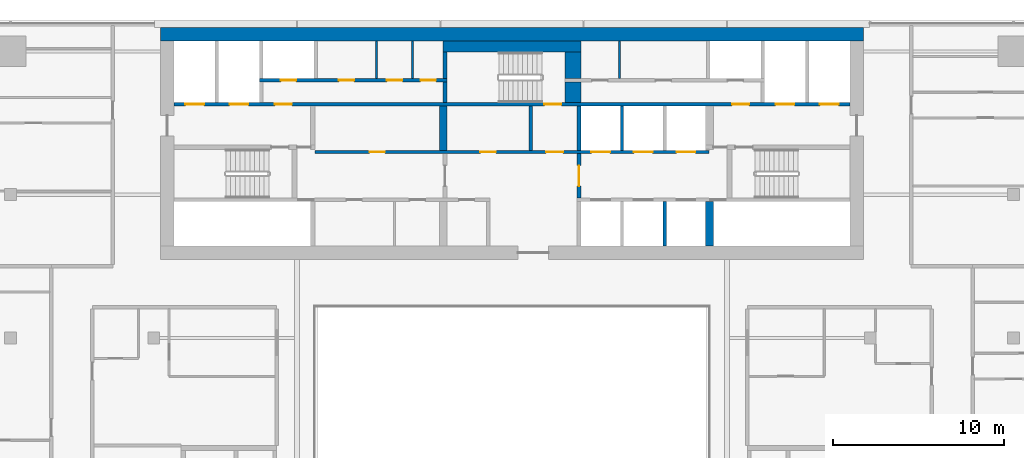
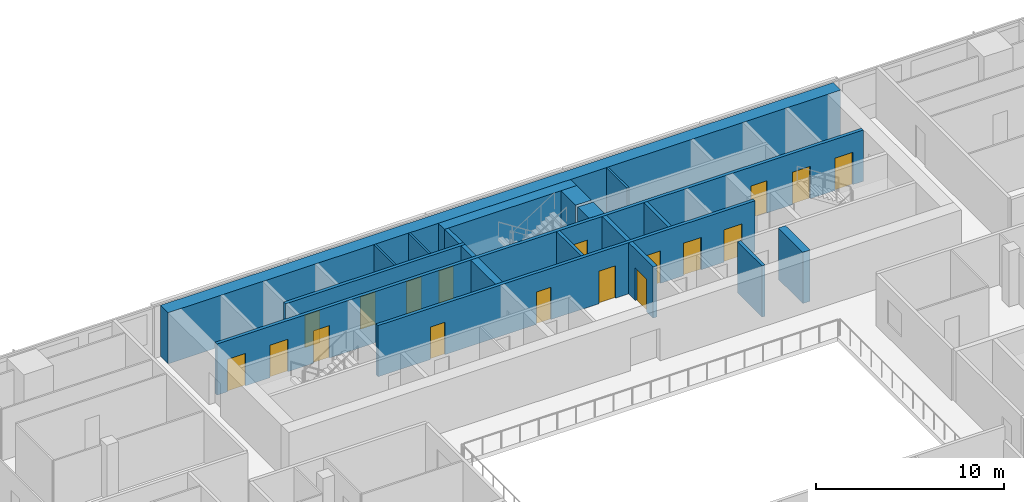
# One storey, part 22 of 29: 19 walls, 18 doors, 18 openings.
"""IFC4 building model written with IfcOpenShell, lengths in metres."""

from ifc_helpers import new_model, si_unit, direction, frame, frame_2d, origin, place, context, subcontext, project, spatial, rectangle, extrude, material, layer, layer_set, type_object, element, fill, save


model = new_model("IFC4")

# Units and contexts
model_context = context("Model", 3, precision=1e-05, world=origin(), true_north=direction((0.0, 1.0)))
body_context = subcontext(model_context, "Body", "Model", "MODEL_VIEW")
ifc_project = project(units=[si_unit("LENGTHUNIT", "METRE"), si_unit("AREAUNIT", "SQUARE_METRE"), si_unit("VOLUMEUNIT", "CUBIC_METRE"), si_unit("PLANEANGLEUNIT", "RADIAN"), si_unit("MASSUNIT", "GRAM", prefix="KILO")], contexts=[model_context])

# Site, building, storey
site_placement = place(None, origin())
site = spatial("IfcSite", under=ifc_project, at=site_placement, CompositionType="ELEMENT")
building_placement = place(site_placement, origin())
building = spatial("IfcBuilding", under=site, at=building_placement, Name="Saffron Gate Tower", CompositionType="ELEMENT")
storey_placement = place(building_placement, frame((0.0, 0.0, 161.85009765625)))
storey = spatial("IfcBuildingStorey", under=building, at=storey_placement, Name="L39", CompositionType="ELEMENT", Elevation=161.85009765625)

# Walls
ifc_material_1 = material(Name="Gypsum board partition on steel studs", Category="steel")
ifc_layer_1 = layer(ifc_material_1, 0.199951171875)
ifc_layer_set_1 = layer_set([ifc_layer_1], Name="CW10 Core partition 200")
wall_type_1 = type_object("IfcWallType", Name="CW10 Core partition 200", PredefinedType="PARTITIONING", material=ifc_layer_set_1)
wall_1_placement = place(storey_placement, frame((88.699951171875, 68.0, 0.0), z_axis=(0.0, 0.0, 1.0), x_axis=(0.0, 1.0, 0.0)))
element("IfcWall", 1, at=wall_1_placement, inside=storey, type_object=wall_type_1, Name="Wall CW10-L39-21", PredefinedType="PARTITIONING", context=body_context, shape_type="SweptSolid", body=[
    extrude(rectangle(XDim=2.60009765625, YDim=0.199951171875, at=frame_2d((1.300048828125, 0.0))), origin(), (0.0, 0.0, 1.0), 3.31982421875),
])
ifc_material_2 = material(Name="Concrete C60", Category="concrete")
ifc_layer_2 = layer(ifc_material_2, 0.800048828125)
ifc_layer_set_2 = layer_set([ifc_layer_2], Name="CW13 RC core wall 800 C60")
wall_type_2 = type_object("IfcWallType", Name="CW13 RC core wall 800 C60", PredefinedType="SOLIDWALL", material=ifc_layer_set_2)
wall_2_placement = place(storey_placement, frame((67.0, 74.800048828125, 0.0), z_axis=(0.0, 0.0, 1.0), x_axis=(1.0, 0.0, 0.0)))
element("IfcWall", 2, at=wall_2_placement, inside=storey, type_object=wall_type_2, Name="Wall CW13-L39-2", PredefinedType="SOLIDWALL", context=body_context, shape_type="SweptSolid", body=[
    extrude(rectangle(XDim=41.199951171875, YDim=0.800048828125, at=frame_2d((20.60009765625, 0.0))), origin(), (0.0, 0.0, 1.0), 3.31982421875),
])

# Wall, opening, door
ifc_layer_3 = layer(ifc_material_2, 0.25)
ifc_layer_set_3 = layer_set([ifc_layer_3], Name="CW14 RC core wall 250 C60")
wall_type_3 = type_object("IfcWallType", Name="CW14 RC core wall 250 C60", PredefinedType="SOLIDWALL", material=ifc_layer_set_3)
wall_3_placement = place(storey_placement, frame((91.52490234375, 65.199951171875, 0.0), z_axis=(0.0, 0.0, 1.0), x_axis=(0.0, 1.0, 0.0)))
wall_3 = element("IfcWall", 3, at=wall_3_placement, inside=storey, type_object=wall_type_3, Name="Wall CW14-L39-17", PredefinedType="SOLIDWALL", context=body_context, shape_type="SweptSolid", body=[
    extrude(rectangle(XDim=2.60009765625, YDim=0.25, at=frame_2d((1.300048828125, 0.0))), origin(), (0.0, 0.0, 1.0), 3.31982421875),
])
opening_1_placement = place(wall_3_placement, frame((0.699951171875, 0.0, 0.0)))
opening_1 = element("IfcOpeningElement", 4, at=opening_1_placement, cuts=wall_3, Name="Opening CR-01", PredefinedType="OPENING", context=body_context, shape_type="SweptSolid", body=[
    extrude(rectangle(XDim=1.199951171875, YDim=2.10009765625, at=frame_2d((0.60009765625, 1.050048828125))), frame((0.0, 0.135009765625, 0.0), z_axis=(0.0, -1.0, 0.0), x_axis=(1.0, 0.0, 0.0)), (0.0, 0.0, 1.0), 0.27001953125),
])
ifc_material_3 = material(Name="Steel fire door set", Category="steel")
door_type_1 = type_object("IfcDoorType", Name="CD3 Lobby door 1200x2100 EI 120", OperationType="NOTDEFINED", PredefinedType="DOOR", material=ifc_material_3)
door_1_placement = place(opening_1_placement, origin())
door_1 = element("IfcDoor", 5, at=door_1_placement, inside=storey, type_object=door_type_1, Name="DOOR CR-01", OperationType="SINGLE_SWING_RIGHT", OverallHeight=2.10009765625, OverallWidth=1.199951171875, PredefinedType="DOOR", context=body_context, shape_type="SweptSolid", body=[
    extrude(rectangle(XDim=1.199951171875, YDim=2.10009765625, at=frame_2d((0.60009765625, 1.050048828125))), frame((0.0, 0.02490234375, 0.0), z_axis=(0.0, -1.0, 0.0), x_axis=(1.0, 0.0, 0.0)), (0.0, 0.0, 1.0), 0.050048828125),
])
fill(opening_1, door_1)

# Walls
wall_4_placement = place(storey_placement, frame((91.52490234375, 68.0, 0.0), z_axis=(0.0, 0.0, 1.0), x_axis=(0.0, 1.0, 0.0)))
element("IfcWall", 6, at=wall_4_placement, inside=storey, type_object=wall_type_3, Name="Wall CW14-L39-22", PredefinedType="SOLIDWALL", context=body_context, shape_type="SweptSolid", body=[
    extrude(rectangle(XDim=2.60009765625, YDim=0.25, at=frame_2d((1.300048828125, 0.0))), origin(), (0.0, 0.0, 1.0), 3.31982421875),
])
wall_5_placement = place(storey_placement, frame((83.675048828125, 70.800048828125, 0.0), z_axis=(0.0, 0.0, 1.0), x_axis=(0.0, 1.0, 0.0)))
element("IfcWall", 7, at=wall_5_placement, inside=storey, type_object=wall_type_3, Name="Wall CW14-L39-33", PredefinedType="SOLIDWALL", context=body_context, shape_type="SweptSolid", body=[
    extrude(rectangle(XDim=1.199951171875, YDim=0.25, at=frame_2d((0.60009765625, 0.0))), origin(), (0.0, 0.0, 1.0), 3.31982421875),
])
wall_6_placement = place(storey_placement, frame((83.675048828125, 72.199951171875, 0.0), z_axis=(0.0, 0.0, 1.0), x_axis=(0.0, 1.0, 0.0)))
element("IfcWall", 8, at=wall_6_placement, inside=storey, type_object=wall_type_3, Name="Wall CW14-L39-43", PredefinedType="SOLIDWALL", context=body_context, shape_type="SweptSolid", body=[
    extrude(rectangle(XDim=1.550048828125, YDim=0.25, at=frame_2d((0.77490234375, 0.0))), origin(), (0.0, 0.0, 1.0), 3.31982421875),
])
ifc_layer_4 = layer(ifc_material_2, 0.199951171875)
ifc_layer_set_4 = layer_set([ifc_layer_4], Name="CW15 RC core wall 200 C60")
wall_type_4 = type_object("IfcWallType", Name="CW15 RC core wall 200 C60", PredefinedType="SOLIDWALL", material=ifc_layer_set_4)
wall_7_placement = place(storey_placement, frame((96.550048828125, 62.39990234375, 0.0), z_axis=(0.0, 0.0, 1.0), x_axis=(0.0, 1.0, 0.0)))
element("IfcWall", 9, at=wall_7_placement, inside=storey, type_object=wall_type_4, Name="Wall CW15-L39-11", PredefinedType="SOLIDWALL", context=body_context, shape_type="SweptSolid", body=[
    extrude(rectangle(XDim=2.60009765625, YDim=0.199951171875, at=frame_2d((1.300048828125, 0.0))), origin(), (0.0, 0.0, 1.0), 3.31982421875),
])

# Wall, openings, doors
wall_8_placement = place(storey_placement, frame((76.050048828125, 67.89990234375, 0.0), z_axis=(0.0, 0.0, 1.0), x_axis=(1.0, 0.0, 0.0)))
wall_8 = element("IfcWall", 10, at=wall_8_placement, inside=storey, type_object=wall_type_4, Name="Wall CW15-L39-19", PredefinedType="SOLIDWALL", context=body_context, shape_type="SweptSolid", body=[
    extrude(rectangle(XDim=23.099853515625, YDim=0.199951171875, at=frame_2d((11.5498046875, 0.0))), origin(), (0.0, 0.0, 1.0), 3.31982421875),
])
opening_2_placement = place(wall_8_placement, frame((3.199951171875, 0.0, 0.0)))
opening_2 = element("IfcOpeningElement", 11, at=opening_2_placement, cuts=wall_8, Name="Opening CR-61", PredefinedType="OPENING", context=body_context, shape_type="SweptSolid", body=[
    extrude(rectangle(XDim=0.89990234375, YDim=2.10009765625, at=frame_2d((0.449951171875, 1.050048828125))), frame((0.0, 0.10986328125, 0.0), z_axis=(0.0, -1.0, 0.0), x_axis=(1.0, 0.0, 0.0)), (0.0, 0.0, 1.0), 0.219970703125),
])
opening_3_placement = place(wall_8_placement, frame((9.699951171875, 0.0, 0.0)))
opening_3 = element("IfcOpeningElement", 12, at=opening_3_placement, cuts=wall_8, Name="Opening CR-67", PredefinedType="OPENING", context=body_context, shape_type="SweptSolid", body=[
    extrude(rectangle(XDim=0.89990234375, YDim=2.10009765625, at=frame_2d((0.449951171875, 1.050048828125))), frame((0.0, 0.10986328125, 0.0), z_axis=(0.0, -1.0, 0.0), x_axis=(1.0, 0.0, 0.0)), (0.0, 0.0, 1.0), 0.219970703125),
])
opening_4_placement = place(wall_8_placement, frame((13.550048828125, 0.0, 0.0)))
opening_4 = element("IfcOpeningElement", 13, at=opening_4_placement, cuts=wall_8, Name="Opening CR-02", PredefinedType="OPENING", context=body_context, shape_type="SweptSolid", body=[
    extrude(rectangle(XDim=1.0, YDim=2.10009765625, at=frame_2d((0.5, 1.050048828125))), frame((0.0, 0.10986328125, 0.0), z_axis=(0.0, -1.0, 0.0), x_axis=(1.0, 0.0, 0.0)), (0.0, 0.0, 1.0), 0.219970703125),
])
opening_5_placement = place(wall_8_placement, frame((16.199951171875, 0.0, 0.0)))
opening_5 = element("IfcOpeningElement", 14, at=opening_5_placement, cuts=wall_8, Name="Opening LD-HR4", PredefinedType="OPENING", context=body_context, shape_type="SweptSolid", body=[
    extrude(rectangle(XDim=1.10009765625, YDim=2.10009765625, at=frame_2d((0.550048828125, 1.050048828125))), frame((0.0, 0.10986328125, 0.0), z_axis=(0.0, -1.0, 0.0), x_axis=(1.0, 0.0, 0.0)), (0.0, 0.0, 1.0), 0.219970703125),
])
opening_6_placement = place(wall_8_placement, frame((18.699951171875, 0.0, 0.0)))
opening_6 = element("IfcOpeningElement", 15, at=opening_6_placement, cuts=wall_8, Name="Opening LD-HR5", PredefinedType="OPENING", context=body_context, shape_type="SweptSolid", body=[
    extrude(rectangle(XDim=1.10009765625, YDim=2.10009765625, at=frame_2d((0.550048828125, 1.050048828125))), frame((0.0, 0.10986328125, 0.0), z_axis=(0.0, -1.0, 0.0), x_axis=(1.0, 0.0, 0.0)), (0.0, 0.0, 1.0), 0.219970703125),
])
opening_7_placement = place(wall_8_placement, frame((21.199951171875, 0.0, 0.0)))
opening_7 = element("IfcOpeningElement", 16, at=opening_7_placement, cuts=wall_8, Name="Opening LD-HR6", PredefinedType="OPENING", context=body_context, shape_type="SweptSolid", body=[
    extrude(rectangle(XDim=1.10009765625, YDim=2.10009765625, at=frame_2d((0.550048828125, 1.050048828125))), frame((0.0, 0.10986328125, 0.0), z_axis=(0.0, -1.0, 0.0), x_axis=(1.0, 0.0, 0.0)), (0.0, 0.0, 1.0), 0.219970703125),
])
door_type_2 = type_object("IfcDoorType", Name="CD4 Lobby door 1000x2100 EI 120", OperationType="NOTDEFINED", PredefinedType="DOOR", material=ifc_material_3)
door_2_placement = place(opening_4_placement, origin())
door_2 = element("IfcDoor", 17, at=door_2_placement, inside=storey, type_object=door_type_2, Name="DOOR CR-02", OperationType="SINGLE_SWING_LEFT", OverallHeight=2.10009765625, OverallWidth=1.0, PredefinedType="DOOR", context=body_context, shape_type="SweptSolid", body=[
    extrude(rectangle(XDim=1.0, YDim=2.10009765625, at=frame_2d((0.5, 1.050048828125))), frame((0.0, 0.02490234375, 0.0), z_axis=(0.0, -1.0, 0.0), x_axis=(1.0, 0.0, 0.0)), (0.0, 0.0, 1.0), 0.050048828125),
])
fill(opening_4, door_2)
door_type_3 = type_object("IfcDoorType", Name="CD9 Room door 900x2100 EI 60", OperationType="NOTDEFINED", PredefinedType="DOOR", material=ifc_material_3)
door_3_placement = place(opening_2_placement, origin())
door_3 = element("IfcDoor", 18, at=door_3_placement, inside=storey, type_object=door_type_3, Name="DOOR CR-61", OperationType="SINGLE_SWING_LEFT", OverallHeight=2.10009765625, OverallWidth=0.89990234375, PredefinedType="DOOR", context=body_context, shape_type="SweptSolid", body=[
    extrude(rectangle(XDim=0.89990234375, YDim=2.10009765625, at=frame_2d((0.449951171875, 1.050048828125))), frame((0.0, 0.02490234375, 0.0), z_axis=(0.0, -1.0, 0.0), x_axis=(1.0, 0.0, 0.0)), (0.0, 0.0, 1.0), 0.050048828125),
])
fill(opening_2, door_3)
door_4_placement = place(opening_3_placement, origin())
door_4 = element("IfcDoor", 19, at=door_4_placement, inside=storey, type_object=door_type_3, Name="DOOR CR-67", OperationType="SINGLE_SWING_LEFT", OverallHeight=2.10009765625, OverallWidth=0.89990234375, PredefinedType="DOOR", context=body_context, shape_type="SweptSolid", body=[
    extrude(rectangle(XDim=0.89990234375, YDim=2.10009765625, at=frame_2d((0.449951171875, 1.050048828125))), frame((0.0, 0.02490234375, 0.0), z_axis=(0.0, -1.0, 0.0), x_axis=(1.0, 0.0, 0.0)), (0.0, 0.0, 1.0), 0.050048828125),
])
fill(opening_3, door_4)
ifc_material_4 = material(Name="Stainless steel landing door", Category="steel")
door_type_4 = type_object("IfcDoorType", Name="LD Lift landing door 1100x2100 EI 120", OperationType="SLIDING_TO_LEFT", PredefinedType="DOOR", material=ifc_material_4)
door_5_placement = place(opening_5_placement, origin())
door_5 = element("IfcDoor", 20, at=door_5_placement, inside=storey, type_object=door_type_4, Name="LANDING DOOR LD-HR4", OperationType="SLIDING_TO_RIGHT", OverallHeight=2.10009765625, OverallWidth=1.10009765625, PredefinedType="DOOR", context=body_context, shape_type="SweptSolid", body=[
    extrude(rectangle(XDim=1.10009765625, YDim=2.10009765625, at=frame_2d((0.550048828125, 1.050048828125))), frame((0.0, 0.02490234375, 0.0), z_axis=(0.0, -1.0, 0.0), x_axis=(1.0, 0.0, 0.0)), (0.0, 0.0, 1.0), 0.050048828125),
])
fill(opening_5, door_5)
door_6_placement = place(opening_6_placement, origin())
door_6 = element("IfcDoor", 21, at=door_6_placement, inside=storey, type_object=door_type_4, Name="LANDING DOOR LD-HR5", OperationType="SLIDING_TO_RIGHT", OverallHeight=2.10009765625, OverallWidth=1.10009765625, PredefinedType="DOOR", context=body_context, shape_type="SweptSolid", body=[
    extrude(rectangle(XDim=1.10009765625, YDim=2.10009765625, at=frame_2d((0.550048828125, 1.050048828125))), frame((0.0, 0.02490234375, 0.0), z_axis=(0.0, -1.0, 0.0), x_axis=(1.0, 0.0, 0.0)), (0.0, 0.0, 1.0), 0.050048828125),
])
fill(opening_6, door_6)
door_7_placement = place(opening_7_placement, origin())
door_7 = element("IfcDoor", 22, at=door_7_placement, inside=storey, type_object=door_type_4, Name="LANDING DOOR LD-HR6", OperationType="SLIDING_TO_RIGHT", OverallHeight=2.10009765625, OverallWidth=1.10009765625, PredefinedType="DOOR", context=body_context, shape_type="SweptSolid", body=[
    extrude(rectangle(XDim=1.10009765625, YDim=2.10009765625, at=frame_2d((0.550048828125, 1.050048828125))), frame((0.0, 0.02490234375, 0.0), z_axis=(0.0, -1.0, 0.0), x_axis=(1.0, 0.0, 0.0)), (0.0, 0.0, 1.0), 0.050048828125),
])
fill(opening_7, door_7)

# Wall
wall_9_placement = place(storey_placement, frame((94.050048828125, 68.0, 0.0), z_axis=(0.0, 0.0, 1.0), x_axis=(0.0, 1.0, 0.0)))
element("IfcWall", 23, at=wall_9_placement, inside=storey, type_object=wall_type_4, Name="Wall CW15-L39-23", PredefinedType="SOLIDWALL", context=body_context, shape_type="SweptSolid", body=[
    extrude(rectangle(XDim=2.60009765625, YDim=0.199951171875, at=frame_2d((1.300048828125, 0.0))), origin(), (0.0, 0.0, 1.0), 3.31982421875),
])

# Wall, openings, doors
wall_10_placement = place(storey_placement, frame((67.800048828125, 70.699951171875, 0.0), z_axis=(0.0, 0.0, 1.0), x_axis=(1.0, 0.0, 0.0)))
wall_10 = element("IfcWall", 24, at=wall_10_placement, inside=storey, type_object=wall_type_4, Name="Wall CW15-L39-30", PredefinedType="SOLIDWALL", context=body_context, shape_type="SweptSolid", body=[
    extrude(rectangle(XDim=39.599853515625, YDim=0.199951171875, at=frame_2d((19.7998046875, 0.0))), origin(), (0.0, 0.0, 1.0), 3.31982421875),
])
opening_8_placement = place(wall_10_placement, frame((0.64990234375, 0.0, 0.0)))
opening_8 = element("IfcOpeningElement", 25, at=opening_8_placement, cuts=wall_10, Name="Opening LD-FF1", PredefinedType="OPENING", context=body_context, shape_type="SweptSolid", body=[
    extrude(rectangle(XDim=1.10009765625, YDim=2.10009765625, at=frame_2d((0.550048828125, 1.050048828125))), frame((0.0, 0.10986328125, 0.0), z_axis=(0.0, -1.0, 0.0), x_axis=(1.0, 0.0, 0.0)), (0.0, 0.0, 1.0), 0.219970703125),
])
opening_9_placement = place(wall_10_placement, frame((3.25, 0.0, 0.0)))
opening_9 = element("IfcOpeningElement", 26, at=opening_9_placement, cuts=wall_10, Name="Opening LD-SV1", PredefinedType="OPENING", context=body_context, shape_type="SweptSolid", body=[
    extrude(rectangle(XDim=1.10009765625, YDim=2.10009765625, at=frame_2d((0.550048828125, 1.050048828125))), frame((0.0, 0.10986328125, 0.0), z_axis=(0.0, -1.0, 0.0), x_axis=(1.0, 0.0, 0.0)), (0.0, 0.0, 1.0), 0.219970703125),
])
opening_10_placement = place(wall_10_placement, frame((5.89990234375, 0.0, 0.0)))
opening_10 = element("IfcOpeningElement", 27, at=opening_10_placement, cuts=wall_10, Name="Opening CR-03", PredefinedType="OPENING", context=body_context, shape_type="SweptSolid", body=[
    extrude(rectangle(XDim=1.0, YDim=2.10009765625, at=frame_2d((0.5, 1.050048828125))), frame((0.0, 0.10986328125, 0.0), z_axis=(0.0, -1.0, 0.0), x_axis=(1.0, 0.0, 0.0)), (0.0, 0.0, 1.0), 0.219970703125),
])
opening_11_placement = place(wall_10_placement, frame((21.699951171875, 0.0, 0.0)))
opening_11 = element("IfcOpeningElement", 28, at=opening_11_placement, cuts=wall_10, Name="Opening CR-17", PredefinedType="OPENING", context=body_context, shape_type="SweptSolid", body=[
    extrude(rectangle(XDim=1.0, YDim=2.10009765625, at=frame_2d((0.5, 1.050048828125))), frame((0.0, 0.10986328125, 0.0), z_axis=(0.0, -1.0, 0.0), x_axis=(1.0, 0.0, 0.0)), (0.0, 0.0, 1.0), 0.219970703125),
])
opening_12_placement = place(wall_10_placement, frame((32.699951171875, 0.0, 0.0)))
opening_12 = element("IfcOpeningElement", 29, at=opening_12_placement, cuts=wall_10, Name="Opening CR-04", PredefinedType="OPENING", context=body_context, shape_type="SweptSolid", body=[
    extrude(rectangle(XDim=1.0, YDim=2.10009765625, at=frame_2d((0.5, 1.050048828125))), frame((0.0, 0.10986328125, 0.0), z_axis=(0.0, -1.0, 0.0), x_axis=(1.0, 0.0, 0.0)), (0.0, 0.0, 1.0), 0.219970703125),
])
opening_13_placement = place(wall_10_placement, frame((35.25, 0.0, 0.0)))
opening_13 = element("IfcOpeningElement", 30, at=opening_13_placement, cuts=wall_10, Name="Opening LD-SV2", PredefinedType="OPENING", context=body_context, shape_type="SweptSolid", body=[
    extrude(rectangle(XDim=1.10009765625, YDim=2.10009765625, at=frame_2d((0.550048828125, 1.050048828125))), frame((0.0, 0.10986328125, 0.0), z_axis=(0.0, -1.0, 0.0), x_axis=(1.0, 0.0, 0.0)), (0.0, 0.0, 1.0), 0.219970703125),
])
opening_14_placement = place(wall_10_placement, frame((37.85009765625, 0.0, 0.0)))
opening_14 = element("IfcOpeningElement", 31, at=opening_14_placement, cuts=wall_10, Name="Opening LD-FF2", PredefinedType="OPENING", context=body_context, shape_type="SweptSolid", body=[
    extrude(rectangle(XDim=1.10009765625, YDim=2.10009765625, at=frame_2d((0.550048828125, 1.050048828125))), frame((0.0, 0.10986328125, 0.0), z_axis=(0.0, -1.0, 0.0), x_axis=(1.0, 0.0, 0.0)), (0.0, 0.0, 1.0), 0.219970703125),
])
door_8_placement = place(opening_10_placement, origin())
door_8 = element("IfcDoor", 32, at=door_8_placement, inside=storey, type_object=door_type_2, Name="DOOR CR-03", OperationType="SINGLE_SWING_LEFT", OverallHeight=2.10009765625, OverallWidth=1.0, PredefinedType="DOOR", context=body_context, shape_type="SweptSolid", body=[
    extrude(rectangle(XDim=1.0, YDim=2.10009765625, at=frame_2d((0.5, 1.050048828125))), frame((0.0, 0.02490234375, 0.0), z_axis=(0.0, -1.0, 0.0), x_axis=(1.0, 0.0, 0.0)), (0.0, 0.0, 1.0), 0.050048828125),
])
fill(opening_10, door_8)
door_9_placement = place(opening_12_placement, origin())
door_9 = element("IfcDoor", 33, at=door_9_placement, inside=storey, type_object=door_type_2, Name="DOOR CR-04", OperationType="SINGLE_SWING_RIGHT", OverallHeight=2.10009765625, OverallWidth=1.0, PredefinedType="DOOR", context=body_context, shape_type="SweptSolid", body=[
    extrude(rectangle(XDim=1.0, YDim=2.10009765625, at=frame_2d((0.5, 1.050048828125))), frame((0.0, 0.02490234375, 0.0), z_axis=(0.0, -1.0, 0.0), x_axis=(1.0, 0.0, 0.0)), (0.0, 0.0, 1.0), 0.050048828125),
])
fill(opening_12, door_9)
door_type_5 = type_object("IfcDoorType", Name="CD5 Stair door 1000x2100 EI 120", OperationType="NOTDEFINED", PredefinedType="DOOR", material=ifc_material_3)
door_10_placement = place(opening_11_placement, origin())
door_10 = element("IfcDoor", 34, at=door_10_placement, inside=storey, type_object=door_type_5, Name="DOOR CR-17", OperationType="SINGLE_SWING_RIGHT", OverallHeight=2.10009765625, OverallWidth=1.0, PredefinedType="DOOR", context=body_context, shape_type="SweptSolid", body=[
    extrude(rectangle(XDim=1.0, YDim=2.10009765625, at=frame_2d((0.5, 1.050048828125))), frame((0.0, 0.02490234375, 0.0), z_axis=(0.0, -1.0, 0.0), x_axis=(1.0, 0.0, 0.0)), (0.0, 0.0, 1.0), 0.050048828125),
])
fill(opening_11, door_10)
door_11_placement = place(opening_8_placement, origin())
door_11 = element("IfcDoor", 35, at=door_11_placement, inside=storey, type_object=door_type_4, Name="LANDING DOOR LD-FF1", OperationType="SLIDING_TO_RIGHT", OverallHeight=2.10009765625, OverallWidth=1.10009765625, PredefinedType="DOOR", context=body_context, shape_type="SweptSolid", body=[
    extrude(rectangle(XDim=1.10009765625, YDim=2.10009765625, at=frame_2d((0.550048828125, 1.050048828125))), frame((0.0, 0.02490234375, 0.0), z_axis=(0.0, -1.0, 0.0), x_axis=(1.0, 0.0, 0.0)), (0.0, 0.0, 1.0), 0.050048828125),
])
fill(opening_8, door_11)
door_12_placement = place(opening_9_placement, origin())
door_12 = element("IfcDoor", 36, at=door_12_placement, inside=storey, type_object=door_type_4, Name="LANDING DOOR LD-SV1", OperationType="SLIDING_TO_RIGHT", OverallHeight=2.10009765625, OverallWidth=1.10009765625, PredefinedType="DOOR", context=body_context, shape_type="SweptSolid", body=[
    extrude(rectangle(XDim=1.10009765625, YDim=2.10009765625, at=frame_2d((0.550048828125, 1.050048828125))), frame((0.0, 0.02490234375, 0.0), z_axis=(0.0, -1.0, 0.0), x_axis=(1.0, 0.0, 0.0)), (0.0, 0.0, 1.0), 0.050048828125),
])
fill(opening_9, door_12)
door_13_placement = place(opening_13_placement, origin())
door_13 = element("IfcDoor", 37, at=door_13_placement, inside=storey, type_object=door_type_4, Name="LANDING DOOR LD-SV2", OperationType="SLIDING_TO_RIGHT", OverallHeight=2.10009765625, OverallWidth=1.10009765625, PredefinedType="DOOR", context=body_context, shape_type="SweptSolid", body=[
    extrude(rectangle(XDim=1.10009765625, YDim=2.10009765625, at=frame_2d((0.550048828125, 1.050048828125))), frame((0.0, 0.02490234375, 0.0), z_axis=(0.0, -1.0, 0.0), x_axis=(1.0, 0.0, 0.0)), (0.0, 0.0, 1.0), 0.050048828125),
])
fill(opening_13, door_13)
door_14_placement = place(opening_14_placement, origin())
door_14 = element("IfcDoor", 38, at=door_14_placement, inside=storey, type_object=door_type_4, Name="LANDING DOOR LD-FF2", OperationType="SLIDING_TO_RIGHT", OverallHeight=2.10009765625, OverallWidth=1.10009765625, PredefinedType="DOOR", context=body_context, shape_type="SweptSolid", body=[
    extrude(rectangle(XDim=1.10009765625, YDim=2.10009765625, at=frame_2d((0.550048828125, 1.050048828125))), frame((0.0, 0.02490234375, 0.0), z_axis=(0.0, -1.0, 0.0), x_axis=(1.0, 0.0, 0.0)), (0.0, 0.0, 1.0), 0.050048828125),
])
fill(opening_14, door_14)

wall_11_placement = place(storey_placement, frame((72.800048828125, 72.10009765625, 0.0), z_axis=(0.0, 0.0, 1.0), x_axis=(1.0, 0.0, 0.0)))
wall_11 = element("IfcWall", 39, at=wall_11_placement, inside=storey, type_object=wall_type_4, Name="Wall CW15-L39-37", PredefinedType="SOLIDWALL", context=body_context, shape_type="SweptSolid", body=[
    extrude(rectangle(XDim=11.0, YDim=0.199951171875, at=frame_2d((5.5, 0.0))), origin(), (0.0, 0.0, 1.0), 3.31982421875),
])
opening_15_placement = place(wall_11_placement, frame((1.25, 0.0, 0.0)))
opening_15 = element("IfcOpeningElement", 40, at=opening_15_placement, cuts=wall_11, Name="Opening CR-71", PredefinedType="OPENING", context=body_context, shape_type="SweptSolid", body=[
    extrude(rectangle(XDim=0.89990234375, YDim=2.10009765625, at=frame_2d((0.449951171875, 1.050048828125))), frame((0.0, 0.10986328125, 0.0), z_axis=(0.0, -1.0, 0.0), x_axis=(1.0, 0.0, 0.0)), (0.0, 0.0, 1.0), 0.219970703125),
])
opening_16_placement = place(wall_11_placement, frame((4.64990234375, 0.0, 0.0)))
opening_16 = element("IfcOpeningElement", 41, at=opening_16_placement, cuts=wall_11, Name="Opening CR-55", PredefinedType="OPENING", context=body_context, shape_type="SweptSolid", body=[
    extrude(rectangle(XDim=0.89990234375, YDim=2.10009765625, at=frame_2d((0.449951171875, 1.050048828125))), frame((0.0, 0.10986328125, 0.0), z_axis=(0.0, -1.0, 0.0), x_axis=(1.0, 0.0, 0.0)), (0.0, 0.0, 1.0), 0.219970703125),
])
opening_17_placement = place(wall_11_placement, frame((7.469970703125, 0.0, 0.0)))
opening_17 = element("IfcOpeningElement", 42, at=opening_17_placement, cuts=wall_11, Name="Opening CR-58", PredefinedType="OPENING", context=body_context, shape_type="SweptSolid", body=[
    extrude(rectangle(XDim=0.89990234375, YDim=2.10009765625, at=frame_2d((0.449951171875, 1.050048828125))), frame((0.0, 0.10986328125, 0.0), z_axis=(0.0, -1.0, 0.0), x_axis=(1.0, 0.0, 0.0)), (0.0, 0.0, 1.0), 0.219970703125),
])
opening_18_placement = place(wall_11_placement, frame((9.445068359375, 0.0, 0.0)))
opening_18 = element("IfcOpeningElement", 43, at=opening_18_placement, cuts=wall_11, Name="Opening CR-59", PredefinedType="OPENING", context=body_context, shape_type="SweptSolid", body=[
    extrude(rectangle(XDim=0.89990234375, YDim=2.10009765625, at=frame_2d((0.449951171875, 1.050048828125))), frame((0.0, 0.10986328125, 0.0), z_axis=(0.0, -1.0, 0.0), x_axis=(1.0, 0.0, 0.0)), (0.0, 0.0, 1.0), 0.219970703125),
])
door_type_6 = type_object("IfcDoorType", Name="CD2 Riser door 900x2100 EI 60", OperationType="NOTDEFINED", PredefinedType="DOOR", material=ifc_material_3)
door_15_placement = place(opening_15_placement, origin())
door_15 = element("IfcDoor", 44, at=door_15_placement, inside=storey, type_object=door_type_6, Name="DOOR CR-71", OperationType="SINGLE_SWING_LEFT", OverallHeight=2.10009765625, OverallWidth=0.89990234375, PredefinedType="DOOR", context=body_context, shape_type="SweptSolid", body=[
    extrude(rectangle(XDim=0.89990234375, YDim=2.10009765625, at=frame_2d((0.449951171875, 1.050048828125))), frame((0.0, 0.02490234375, 0.0), z_axis=(0.0, -1.0, 0.0), x_axis=(1.0, 0.0, 0.0)), (0.0, 0.0, 1.0), 0.050048828125),
])
fill(opening_15, door_15)
door_16_placement = place(opening_16_placement, origin())
door_16 = element("IfcDoor", 45, at=door_16_placement, inside=storey, type_object=door_type_3, Name="DOOR CR-55", OperationType="SINGLE_SWING_LEFT", OverallHeight=2.10009765625, OverallWidth=0.89990234375, PredefinedType="DOOR", context=body_context, shape_type="SweptSolid", body=[
    extrude(rectangle(XDim=0.89990234375, YDim=2.10009765625, at=frame_2d((0.449951171875, 1.050048828125))), frame((0.0, 0.02490234375, 0.0), z_axis=(0.0, -1.0, 0.0), x_axis=(1.0, 0.0, 0.0)), (0.0, 0.0, 1.0), 0.050048828125),
])
fill(opening_16, door_16)
door_17_placement = place(opening_17_placement, origin())
door_17 = element("IfcDoor", 46, at=door_17_placement, inside=storey, type_object=door_type_3, Name="DOOR CR-58", OperationType="SINGLE_SWING_LEFT", OverallHeight=2.10009765625, OverallWidth=0.89990234375, PredefinedType="DOOR", context=body_context, shape_type="SweptSolid", body=[
    extrude(rectangle(XDim=0.89990234375, YDim=2.10009765625, at=frame_2d((0.449951171875, 1.050048828125))), frame((0.0, 0.02490234375, 0.0), z_axis=(0.0, -1.0, 0.0), x_axis=(1.0, 0.0, 0.0)), (0.0, 0.0, 1.0), 0.050048828125),
])
fill(opening_17, door_17)
door_18_placement = place(opening_18_placement, origin())
door_18 = element("IfcDoor", 47, at=door_18_placement, inside=storey, type_object=door_type_3, Name="DOOR CR-59", OperationType="SINGLE_SWING_LEFT", OverallHeight=2.10009765625, OverallWidth=0.89990234375, PredefinedType="DOOR", context=body_context, shape_type="SweptSolid", body=[
    extrude(rectangle(XDim=0.89990234375, YDim=2.10009765625, at=frame_2d((0.449951171875, 1.050048828125))), frame((0.0, 0.02490234375, 0.0), z_axis=(0.0, -1.0, 0.0), x_axis=(1.0, 0.0, 0.0)), (0.0, 0.0, 1.0), 0.050048828125),
])
fill(opening_18, door_18)

# Walls
ifc_layer_5 = layer(ifc_material_2, 0.449951171875)
ifc_layer_set_5 = layer_set([ifc_layer_5], Name="CW16 RC core wall 450 C60")
wall_type_5 = type_object("IfcWallType", Name="CW16 RC core wall 450 C60", PredefinedType="SOLIDWALL", material=ifc_layer_set_5)
for number, where, z_axis, x_axis, name in (
    (48, (99.175048828125, 62.39990234375, 0.0), (0.0, 0.0, 1.0), (0.0, 1.0, 0.0), "Wall CW16-L39-12"),
    (49, (83.574951171875, 68.0, 0.0), (0.0, 0.0, 1.0), (0.0, 1.0, 0.0), "Wall CW16-L39-20"),
):
    element("IfcWall", number, at=place(storey_placement, frame(where, z_axis=z_axis, x_axis=x_axis)), inside=storey, type_object=wall_type_5, Name=name, PredefinedType="SOLIDWALL", context=body_context, shape_type="SweptSolid", body=[
        extrude(rectangle(XDim=2.60009765625, YDim=0.449951171875, at=frame_2d((1.300048828125, 0.0))), origin(), (0.0, 0.0, 1.0), 3.31982421875),
    ])
ifc_layer_6 = layer(ifc_material_2, 0.949951171875)
ifc_layer_set_6 = layer_set([ifc_layer_6], Name="CW19 RC core wall 950 C60")
wall_type_6 = type_object("IfcWallType", Name="CW19 RC core wall 950 C60", PredefinedType="SOLIDWALL", material=ifc_layer_set_6)
wall_12_placement = place(storey_placement, frame((91.175048828125, 70.800048828125, 0.0), z_axis=(0.0, 0.0, 1.0), x_axis=(0.0, 1.0, 0.0)))
element("IfcWall", 50, at=wall_12_placement, inside=storey, type_object=wall_type_6, Name="Wall CW19-L39-34", PredefinedType="SOLIDWALL", context=body_context, shape_type="SweptSolid", body=[
    extrude(rectangle(XDim=1.199951171875, YDim=0.949951171875, at=frame_2d((0.60009765625, 0.0))), origin(), (0.0, 0.0, 1.0), 3.31982421875),
])
wall_13_placement = place(storey_placement, frame((91.175048828125, 72.199951171875, 0.0), z_axis=(0.0, 0.0, 1.0), x_axis=(0.0, 1.0, 0.0)))
element("IfcWall", 51, at=wall_13_placement, inside=storey, type_object=wall_type_6, Name="Wall CW19-L39-44", PredefinedType="SOLIDWALL", context=body_context, shape_type="SweptSolid", body=[
    extrude(rectangle(XDim=1.550048828125, YDim=0.949951171875, at=frame_2d((0.77490234375, 0.0))), origin(), (0.0, 0.0, 1.0), 3.31982421875),
])
ifc_layer_7 = layer(ifc_material_2, 0.64990234375)
ifc_layer_set_7 = layer_set([ifc_layer_7], Name="CW20 RC core wall 650 C60")
wall_type_7 = type_object("IfcWallType", Name="CW20 RC core wall 650 C60", PredefinedType="SOLIDWALL", material=ifc_layer_set_7)
wall_14_placement = place(storey_placement, frame((83.550048828125, 74.074951171875, 0.0), z_axis=(0.0, 0.0, 1.0), x_axis=(1.0, 0.0, 0.0)))
element("IfcWall", 52, at=wall_14_placement, inside=storey, type_object=wall_type_7, Name="Wall CW20-L39-48", PredefinedType="SOLIDWALL", context=body_context, shape_type="SweptSolid", body=[
    extrude(rectangle(XDim=8.099853515625, YDim=0.64990234375, at=frame_2d((4.0498046875, 0.0))), origin(), (0.0, 0.0, 1.0), 3.31982421875),
])
ifc_layer_8 = layer(ifc_material_1, 0.1201171875)
ifc_layer_set_8 = layer_set([ifc_layer_8], Name="CW8 Core partition 120")
wall_type_8 = type_object("IfcWallType", Name="CW8 Core partition 120", PredefinedType="PARTITIONING", material=ifc_layer_set_8)
for number, where, z_axis, x_axis, name in (
    (53, (79.659912109375, 72.199951171875, 0.0), (0.0, 0.0, 1.0), (0.0, 1.0, 0.0), "Wall CW8-L39-41"),
    (54, (81.780029296875, 72.199951171875, 0.0), (0.0, 0.0, 1.0), (0.0, 1.0, 0.0), "Wall CW8-L39-42"),
    (55, (93.909912109375, 72.199951171875, 0.0), (0.0, 0.0, 1.0), (0.0, 1.0, 0.0), "Wall CW8-L39-45"),
):
    element("IfcWall", number, at=place(storey_placement, frame(where, z_axis=z_axis, x_axis=x_axis)), inside=storey, type_object=wall_type_8, Name=name, PredefinedType="PARTITIONING", context=body_context, shape_type="SweptSolid", body=[
        extrude(rectangle(XDim=2.199951171875, YDim=0.1201171875, at=frame_2d((1.10009765625, 0.0))), origin(), (0.0, 0.0, 1.0), 3.31982421875),
    ])

save(model, "model.ifc")
